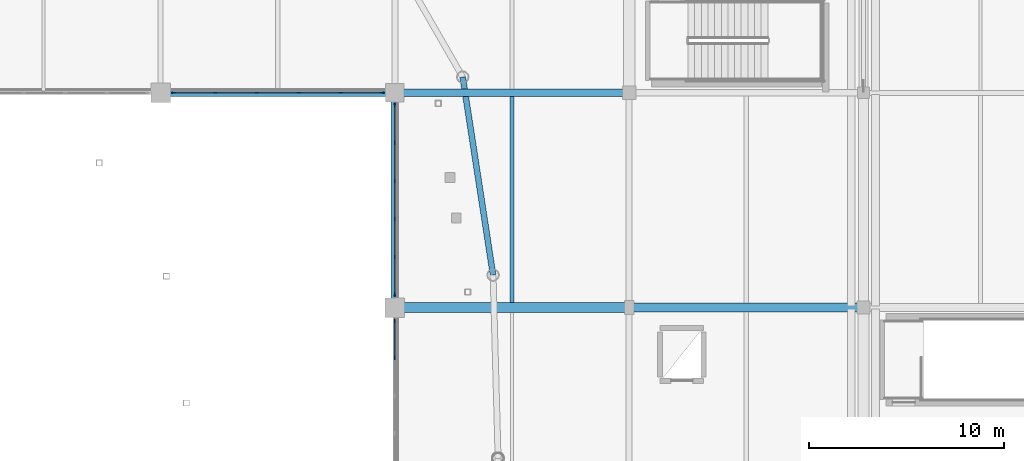
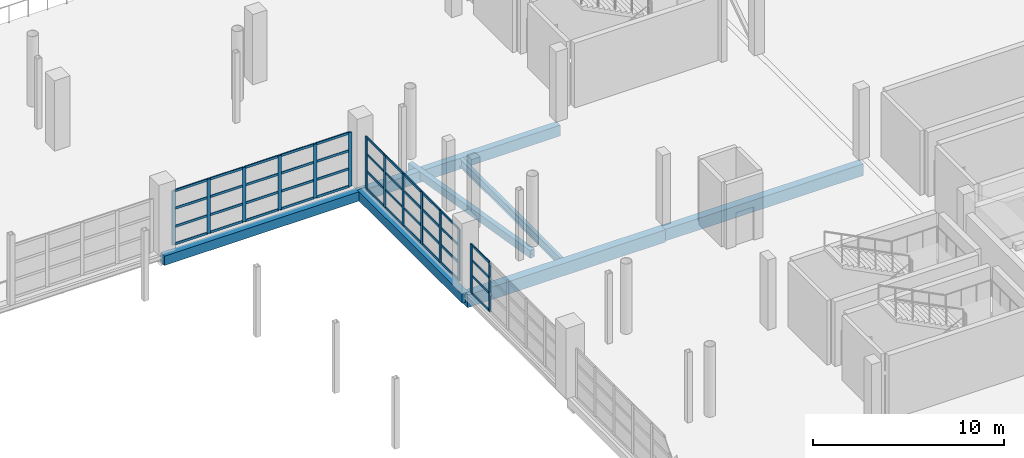
# One storey, part 59 of 118: 58 members, 7 beams, 3 elements without a shape of their own.
"""IFC4 building model written with IfcOpenShell, lengths in metres."""

from ifc_helpers import new_model, si_unit, direction, frame, origin, origin_2d, place, context, subcontext, project, spatial, rectangle, hollow_rectangle, i_section, extrude, material, material_profile, profile_set, type_object, element, aggregate, save


model = new_model("IFC4")

# Units and contexts
model_context = context("Model", 3, precision=1e-05, world=origin(), true_north=direction((0.0, 1.0)))
body_context = subcontext(model_context, "Body", "Model", "MODEL_VIEW")
ifc_project = project(units=[si_unit("LENGTHUNIT", "METRE"), si_unit("AREAUNIT", "SQUARE_METRE"), si_unit("VOLUMEUNIT", "CUBIC_METRE"), si_unit("PLANEANGLEUNIT", "RADIAN"), si_unit("MASSUNIT", "GRAM", prefix="KILO")], contexts=[model_context])

# Site, building, storey
site_placement = place(None, origin())
site = spatial("IfcSite", under=ifc_project, at=site_placement, CompositionType="ELEMENT")
building_placement = place(site_placement, origin())
building = spatial("IfcBuilding", under=site, at=building_placement, Name="Luwafu Chhajja Arena", CompositionType="ELEMENT")
storey_placement = place(building_placement, frame((0.0, 0.0, 10.199951171875)))
storey = spatial("IfcBuildingStorey", under=building, at=storey_placement, Name="L02", CompositionType="ELEMENT", Elevation=10.199951171875)

# Curtain wall, members
ifc_material_1 = material(Name="Anodised bronze aluminium", Category="aluminium")
curtain_wall_type = type_object("IfcCurtainWallType", Name="Hospitality Ring Curtain Wall", PredefinedType="USERDEFINED", material=ifc_material_1)
curtain_wall_1_placement = place(storey_placement, origin())
curtain_wall_1 = element("IfcCurtainWall", 1, at=curtain_wall_1_placement, inside=storey, type_object=curtain_wall_type, Name="L02 Bowl Viewing Curtain Wall CWR-L02-14", ObjectType="CURTAIN WALL", PredefinedType="USERDEFINED")
ifc_material_profile_1 = material_profile(ifc_material_1, rectangle(XDim=0.06494140625, YDim=0.199951171875, at=origin_2d()), Name="CWM 65x200")
ifc_profile_set_1 = profile_set([ifc_material_profile_1], Name="Anodised bronze aluminium")
member_type_1 = type_object("IfcMemberType", Name="Bronze Curtain Wall Mullion 65x200", PredefinedType="MULLION", material=ifc_profile_set_1)
member_1_placement = place(storey_placement, frame((128.672607421875, 77.0, 0.0), z_axis=(0.0, 0.0, 1.0), x_axis=(0.0, 1.0, 0.0)))
member_1 = element("IfcMember", 2, at=member_1_placement, type_object=member_type_1, Name="CW-02 mullion 1", PredefinedType="MULLION", context=body_context, shape_type="SweptSolid", body=[
    extrude(rectangle(XDim=0.06494140625, YDim=0.199951171875, at=origin_2d()), origin(), (0.0, 0.0, 1.0), 3.469970703125),
])
member_2_placement = place(storey_placement, frame((130.7890625, 77.0, 0.0), z_axis=(0.0, 0.0, 1.0), x_axis=(0.0, 1.0, 0.0)))
member_2 = element("IfcMember", 3, at=member_2_placement, type_object=member_type_1, Name="CW-02 mullion 2", PredefinedType="MULLION", context=body_context, shape_type="SweptSolid", body=[
    extrude(rectangle(XDim=0.06494140625, YDim=0.199951171875, at=origin_2d()), origin(), (0.0, 0.0, 1.0), 3.469970703125),
])
member_3_placement = place(storey_placement, frame((132.93798828125, 77.0, 0.0), z_axis=(0.0, 0.0, 1.0), x_axis=(0.0, 1.0, 0.0)))
member_3 = element("IfcMember", 4, at=member_3_placement, type_object=member_type_1, Name="CW-02 mullion 3", PredefinedType="MULLION", context=body_context, shape_type="SweptSolid", body=[
    extrude(rectangle(XDim=0.06494140625, YDim=0.199951171875, at=origin_2d()), origin(), (0.0, 0.0, 1.0), 3.469970703125),
])
member_4_placement = place(storey_placement, frame((135.0869140625, 77.0, 0.0), z_axis=(0.0, 0.0, 1.0), x_axis=(0.0, 1.0, 0.0)))
member_4 = element("IfcMember", 5, at=member_4_placement, type_object=member_type_1, Name="CW-02 mullion 4", PredefinedType="MULLION", context=body_context, shape_type="SweptSolid", body=[
    extrude(rectangle(XDim=0.06494140625, YDim=0.199951171875, at=origin_2d()), origin(), (0.0, 0.0, 1.0), 3.469970703125),
])
member_5_placement = place(storey_placement, frame((137.236083984375, 77.0, 0.0), z_axis=(0.0, 0.0, 1.0), x_axis=(0.0, 1.0, 0.0)))
member_5 = element("IfcMember", 6, at=member_5_placement, type_object=member_type_1, Name="CW-02 mullion 5", PredefinedType="MULLION", context=body_context, shape_type="SweptSolid", body=[
    extrude(rectangle(XDim=0.06494140625, YDim=0.199951171875, at=origin_2d()), origin(), (0.0, 0.0, 1.0), 3.469970703125),
])
member_6_placement = place(storey_placement, frame((139.3525390625, 77.0, 0.0), z_axis=(0.0, 0.0, 1.0), x_axis=(0.0, 1.0, 0.0)))
member_6 = element("IfcMember", 7, at=member_6_placement, type_object=member_type_1, Name="CW-02 mullion 6", PredefinedType="MULLION", context=body_context, shape_type="SweptSolid", body=[
    extrude(rectangle(XDim=0.06494140625, YDim=0.199951171875, at=origin_2d()), origin(), (0.0, 0.0, 1.0), 3.469970703125),
])

curtain_wall_2_placement = place(storey_placement, origin())
curtain_wall_2 = element("IfcCurtainWall", 8, at=curtain_wall_2_placement, inside=storey, type_object=curtain_wall_type, Name="L02 Bowl Viewing Curtain Wall CWR-L02-23", ObjectType="CURTAIN WALL", PredefinedType="USERDEFINED")
member_7_placement = place(storey_placement, frame((140.0, 63.426025390625, 0.0), z_axis=(0.0, 0.0, 1.0), x_axis=(-1.0, 0.0, 0.0)))
member_7 = element("IfcMember", 9, at=member_7_placement, type_object=member_type_1, Name="CW-02 mullion 5", PredefinedType="MULLION", context=body_context, shape_type="SweptSolid", body=[
    extrude(rectangle(XDim=0.06494140625, YDim=0.199951171875, at=origin_2d()), origin(), (0.0, 0.0, 1.0), 3.14013671875),
])
member_8_placement = place(storey_placement, frame((140.0, 65.327392578125, 0.0), z_axis=(0.0, 0.0, 1.0), x_axis=(-1.0, 0.0, 0.0)))
member_8 = element("IfcMember", 10, at=member_8_placement, type_object=member_type_1, Name="CW-02 mullion 6", PredefinedType="MULLION", context=body_context, shape_type="SweptSolid", body=[
    extrude(rectangle(XDim=0.06494140625, YDim=0.199951171875, at=origin_2d()), origin(), (0.0, 0.0, 1.0), 3.14013671875),
])

curtain_wall_3_placement = place(storey_placement, origin())
curtain_wall_3 = element("IfcCurtainWall", 11, at=curtain_wall_3_placement, inside=storey, type_object=curtain_wall_type, Name="L02 Bowl Viewing Curtain Wall CWR-L02-24", ObjectType="CURTAIN WALL", PredefinedType="USERDEFINED")
member_9_placement = place(storey_placement, frame((140.0, 66.672607421875, 0.0), z_axis=(0.0, 0.0, 1.0), x_axis=(-1.0, 0.0, 0.0)))
member_9 = element("IfcMember", 12, at=member_9_placement, type_object=member_type_1, Name="CW-02 mullion 1", PredefinedType="MULLION", context=body_context, shape_type="SweptSolid", body=[
    extrude(rectangle(XDim=0.06494140625, YDim=0.199951171875, at=origin_2d()), origin(), (0.0, 0.0, 1.0), 3.340087890625),
])
member_10_placement = place(storey_placement, frame((140.0, 68.589111328125, 0.0), z_axis=(0.0, 0.0, 1.0), x_axis=(-1.0, 0.0, 0.0)))
member_10 = element("IfcMember", 13, at=member_10_placement, type_object=member_type_1, Name="CW-02 mullion 2", PredefinedType="MULLION", context=body_context, shape_type="SweptSolid", body=[
    extrude(rectangle(XDim=0.06494140625, YDim=0.199951171875, at=origin_2d()), origin(), (0.0, 0.0, 1.0), 3.340087890625),
])
member_11_placement = place(storey_placement, frame((140.0, 70.5380859375, 0.0), z_axis=(0.0, 0.0, 1.0), x_axis=(-1.0, 0.0, 0.0)))
member_11 = element("IfcMember", 14, at=member_11_placement, type_object=member_type_1, Name="CW-02 mullion 3", PredefinedType="MULLION", context=body_context, shape_type="SweptSolid", body=[
    extrude(rectangle(XDim=0.06494140625, YDim=0.199951171875, at=origin_2d()), origin(), (0.0, 0.0, 1.0), 3.340087890625),
])
member_12_placement = place(storey_placement, frame((140.0, 72.487060546875, 0.0), z_axis=(0.0, 0.0, 1.0), x_axis=(-1.0, 0.0, 0.0)))
member_12 = element("IfcMember", 15, at=member_12_placement, type_object=member_type_1, Name="CW-02 mullion 4", PredefinedType="MULLION", context=body_context, shape_type="SweptSolid", body=[
    extrude(rectangle(XDim=0.06494140625, YDim=0.199951171875, at=origin_2d()), origin(), (0.0, 0.0, 1.0), 3.340087890625),
])
member_13_placement = place(storey_placement, frame((140.0, 74.43603515625, 0.0), z_axis=(0.0, 0.0, 1.0), x_axis=(-1.0, 0.0, 0.0)))
member_13 = element("IfcMember", 16, at=member_13_placement, type_object=member_type_1, Name="CW-02 mullion 5", PredefinedType="MULLION", context=body_context, shape_type="SweptSolid", body=[
    extrude(rectangle(XDim=0.06494140625, YDim=0.199951171875, at=origin_2d()), origin(), (0.0, 0.0, 1.0), 3.340087890625),
])
member_14_placement = place(storey_placement, frame((140.0, 76.3525390625, 0.0), z_axis=(0.0, 0.0, 1.0), x_axis=(-1.0, 0.0, 0.0)))
member_14 = element("IfcMember", 17, at=member_14_placement, type_object=member_type_1, Name="CW-02 mullion 6", PredefinedType="MULLION", context=body_context, shape_type="SweptSolid", body=[
    extrude(rectangle(XDim=0.06494140625, YDim=0.199951171875, at=origin_2d()), origin(), (0.0, 0.0, 1.0), 3.340087890625),
])

# Member
ifc_material_profile_2 = material_profile(ifc_material_1, rectangle(XDim=0.06494140625, YDim=0.14990234375, at=origin_2d()), Name="CWT 65x150")
ifc_profile_set_2 = profile_set([ifc_material_profile_2], Name="Anodised bronze aluminium")
member_type_2 = type_object("IfcMemberType", Name="Bronze Curtain Wall Transom 65x150", PredefinedType="USERDEFINED", material=ifc_profile_set_2)
member_15_placement = place(storey_placement, frame((128.705078125, 77.0, 0.032470703125), z_axis=(1.0, 0.0, 0.0), x_axis=(0.0, 1.0, 0.0)))
member_15 = element("IfcMember", 18, at=member_15_placement, type_object=member_type_2, Name="CW-02 transom 1.1", ObjectType="TRANSOM", PredefinedType="USERDEFINED", context=body_context, shape_type="SweptSolid", body=[
    extrude(rectangle(XDim=0.06494140625, YDim=0.14990234375, at=origin_2d()), origin(), (0.0, 0.0, 1.0), 2.051513671875),
])

member_16_placement = place(storey_placement, frame((128.705078125, 77.0, 1.150146484375), z_axis=(1.0, 0.0, 0.0), x_axis=(0.0, 1.0, 0.0)))
member_16 = element("IfcMember", 19, at=member_16_placement, type_object=member_type_2, Name="CW-02 transom 1.2", ObjectType="TRANSOM", PredefinedType="USERDEFINED", context=body_context, shape_type="SweptSolid", body=[
    extrude(rectangle(XDim=0.06494140625, YDim=0.14990234375, at=origin_2d()), origin(), (0.0, 0.0, 1.0), 2.051513671875),
])

member_17_placement = place(storey_placement, frame((128.705078125, 77.0, 2.31005859375), z_axis=(1.0, 0.0, 0.0), x_axis=(0.0, 1.0, 0.0)))
member_17 = element("IfcMember", 20, at=member_17_placement, type_object=member_type_2, Name="CW-02 transom 1.3", ObjectType="TRANSOM", PredefinedType="USERDEFINED", context=body_context, shape_type="SweptSolid", body=[
    extrude(rectangle(XDim=0.06494140625, YDim=0.14990234375, at=origin_2d()), origin(), (0.0, 0.0, 1.0), 2.051513671875),
])

member_18_placement = place(storey_placement, frame((128.705078125, 77.0, 3.437255859375), z_axis=(1.0, 0.0, 0.0), x_axis=(0.0, 1.0, 0.0)))
member_18 = element("IfcMember", 21, at=member_18_placement, type_object=member_type_2, Name="CW-02 transom 1.4", ObjectType="TRANSOM", PredefinedType="USERDEFINED", context=body_context, shape_type="SweptSolid", body=[
    extrude(rectangle(XDim=0.06494140625, YDim=0.14990234375, at=origin_2d()), origin(), (0.0, 0.0, 1.0), 2.051513671875),
])

member_19_placement = place(storey_placement, frame((130.821533203125, 77.0, 0.032470703125), z_axis=(1.0, 0.0, 0.0), x_axis=(0.0, 1.0, 0.0)))
member_19 = element("IfcMember", 22, at=member_19_placement, type_object=member_type_2, Name="CW-02 transom 2.1", ObjectType="TRANSOM", PredefinedType="USERDEFINED", context=body_context, shape_type="SweptSolid", body=[
    extrude(rectangle(XDim=0.06494140625, YDim=0.14990234375, at=origin_2d()), origin(), (0.0, 0.0, 1.0), 2.083984375),
])

member_20_placement = place(storey_placement, frame((130.821533203125, 77.0, 1.150146484375), z_axis=(1.0, 0.0, 0.0), x_axis=(0.0, 1.0, 0.0)))
member_20 = element("IfcMember", 23, at=member_20_placement, type_object=member_type_2, Name="CW-02 transom 2.2", ObjectType="TRANSOM", PredefinedType="USERDEFINED", context=body_context, shape_type="SweptSolid", body=[
    extrude(rectangle(XDim=0.06494140625, YDim=0.14990234375, at=origin_2d()), origin(), (0.0, 0.0, 1.0), 2.083984375),
])

member_21_placement = place(storey_placement, frame((130.821533203125, 77.0, 2.31005859375), z_axis=(1.0, 0.0, 0.0), x_axis=(0.0, 1.0, 0.0)))
member_21 = element("IfcMember", 24, at=member_21_placement, type_object=member_type_2, Name="CW-02 transom 2.3", ObjectType="TRANSOM", PredefinedType="USERDEFINED", context=body_context, shape_type="SweptSolid", body=[
    extrude(rectangle(XDim=0.06494140625, YDim=0.14990234375, at=origin_2d()), origin(), (0.0, 0.0, 1.0), 2.083984375),
])

member_22_placement = place(storey_placement, frame((130.821533203125, 77.0, 3.437255859375), z_axis=(1.0, 0.0, 0.0), x_axis=(0.0, 1.0, 0.0)))
member_22 = element("IfcMember", 25, at=member_22_placement, type_object=member_type_2, Name="CW-02 transom 2.4", ObjectType="TRANSOM", PredefinedType="USERDEFINED", context=body_context, shape_type="SweptSolid", body=[
    extrude(rectangle(XDim=0.06494140625, YDim=0.14990234375, at=origin_2d()), origin(), (0.0, 0.0, 1.0), 2.083984375),
])

member_23_placement = place(storey_placement, frame((132.970458984375, 77.0, 0.032470703125), z_axis=(1.0, 0.0, 0.0), x_axis=(0.0, 1.0, 0.0)))
member_23 = element("IfcMember", 26, at=member_23_placement, type_object=member_type_2, Name="CW-02 transom 3.1", ObjectType="TRANSOM", PredefinedType="USERDEFINED", context=body_context, shape_type="SweptSolid", body=[
    extrude(rectangle(XDim=0.06494140625, YDim=0.14990234375, at=origin_2d()), origin(), (0.0, 0.0, 1.0), 2.083984375),
])

member_24_placement = place(storey_placement, frame((132.970458984375, 77.0, 1.150146484375), z_axis=(1.0, 0.0, 0.0), x_axis=(0.0, 1.0, 0.0)))
member_24 = element("IfcMember", 27, at=member_24_placement, type_object=member_type_2, Name="CW-02 transom 3.2", ObjectType="TRANSOM", PredefinedType="USERDEFINED", context=body_context, shape_type="SweptSolid", body=[
    extrude(rectangle(XDim=0.06494140625, YDim=0.14990234375, at=origin_2d()), origin(), (0.0, 0.0, 1.0), 2.083984375),
])

member_25_placement = place(storey_placement, frame((132.970458984375, 77.0, 2.31005859375), z_axis=(1.0, 0.0, 0.0), x_axis=(0.0, 1.0, 0.0)))
member_25 = element("IfcMember", 28, at=member_25_placement, type_object=member_type_2, Name="CW-02 transom 3.3", ObjectType="TRANSOM", PredefinedType="USERDEFINED", context=body_context, shape_type="SweptSolid", body=[
    extrude(rectangle(XDim=0.06494140625, YDim=0.14990234375, at=origin_2d()), origin(), (0.0, 0.0, 1.0), 2.083984375),
])

member_26_placement = place(storey_placement, frame((132.970458984375, 77.0, 3.437255859375), z_axis=(1.0, 0.0, 0.0), x_axis=(0.0, 1.0, 0.0)))
member_26 = element("IfcMember", 29, at=member_26_placement, type_object=member_type_2, Name="CW-02 transom 3.4", ObjectType="TRANSOM", PredefinedType="USERDEFINED", context=body_context, shape_type="SweptSolid", body=[
    extrude(rectangle(XDim=0.06494140625, YDim=0.14990234375, at=origin_2d()), origin(), (0.0, 0.0, 1.0), 2.083984375),
])

member_27_placement = place(storey_placement, frame((135.119384765625, 77.0, 0.032470703125), z_axis=(1.0, 0.0, 0.0), x_axis=(0.0, 1.0, 0.0)))
member_27 = element("IfcMember", 30, at=member_27_placement, type_object=member_type_2, Name="CW-02 transom 4.1", ObjectType="TRANSOM", PredefinedType="USERDEFINED", context=body_context, shape_type="SweptSolid", body=[
    extrude(rectangle(XDim=0.06494140625, YDim=0.14990234375, at=origin_2d()), origin(), (0.0, 0.0, 1.0), 2.084228515625),
])

member_28_placement = place(storey_placement, frame((135.119384765625, 77.0, 1.150146484375), z_axis=(1.0, 0.0, 0.0), x_axis=(0.0, 1.0, 0.0)))
member_28 = element("IfcMember", 31, at=member_28_placement, type_object=member_type_2, Name="CW-02 transom 4.2", ObjectType="TRANSOM", PredefinedType="USERDEFINED", context=body_context, shape_type="SweptSolid", body=[
    extrude(rectangle(XDim=0.06494140625, YDim=0.14990234375, at=origin_2d()), origin(), (0.0, 0.0, 1.0), 2.084228515625),
])

member_29_placement = place(storey_placement, frame((135.119384765625, 77.0, 2.31005859375), z_axis=(1.0, 0.0, 0.0), x_axis=(0.0, 1.0, 0.0)))
member_29 = element("IfcMember", 32, at=member_29_placement, type_object=member_type_2, Name="CW-02 transom 4.3", ObjectType="TRANSOM", PredefinedType="USERDEFINED", context=body_context, shape_type="SweptSolid", body=[
    extrude(rectangle(XDim=0.06494140625, YDim=0.14990234375, at=origin_2d()), origin(), (0.0, 0.0, 1.0), 2.084228515625),
])

member_30_placement = place(storey_placement, frame((135.119384765625, 77.0, 3.437255859375), z_axis=(1.0, 0.0, 0.0), x_axis=(0.0, 1.0, 0.0)))
member_30 = element("IfcMember", 33, at=member_30_placement, type_object=member_type_2, Name="CW-02 transom 4.4", ObjectType="TRANSOM", PredefinedType="USERDEFINED", context=body_context, shape_type="SweptSolid", body=[
    extrude(rectangle(XDim=0.06494140625, YDim=0.14990234375, at=origin_2d()), origin(), (0.0, 0.0, 1.0), 2.084228515625),
])

member_31_placement = place(storey_placement, frame((137.2685546875, 77.0, 0.032470703125), z_axis=(1.0, 0.0, 0.0), x_axis=(0.0, 1.0, 0.0)))
member_31 = element("IfcMember", 34, at=member_31_placement, type_object=member_type_2, Name="CW-02 transom 5.1", ObjectType="TRANSOM", PredefinedType="USERDEFINED", context=body_context, shape_type="SweptSolid", body=[
    extrude(rectangle(XDim=0.06494140625, YDim=0.14990234375, at=origin_2d()), origin(), (0.0, 0.0, 1.0), 2.051513671875),
])

member_32_placement = place(storey_placement, frame((137.2685546875, 77.0, 1.150146484375), z_axis=(1.0, 0.0, 0.0), x_axis=(0.0, 1.0, 0.0)))
member_32 = element("IfcMember", 35, at=member_32_placement, type_object=member_type_2, Name="CW-02 transom 5.2", ObjectType="TRANSOM", PredefinedType="USERDEFINED", context=body_context, shape_type="SweptSolid", body=[
    extrude(rectangle(XDim=0.06494140625, YDim=0.14990234375, at=origin_2d()), origin(), (0.0, 0.0, 1.0), 2.051513671875),
])

member_33_placement = place(storey_placement, frame((137.2685546875, 77.0, 2.31005859375), z_axis=(1.0, 0.0, 0.0), x_axis=(0.0, 1.0, 0.0)))
member_33 = element("IfcMember", 36, at=member_33_placement, type_object=member_type_2, Name="CW-02 transom 5.3", ObjectType="TRANSOM", PredefinedType="USERDEFINED", context=body_context, shape_type="SweptSolid", body=[
    extrude(rectangle(XDim=0.06494140625, YDim=0.14990234375, at=origin_2d()), origin(), (0.0, 0.0, 1.0), 2.051513671875),
])

member_34_placement = place(storey_placement, frame((137.2685546875, 77.0, 3.437255859375), z_axis=(1.0, 0.0, 0.0), x_axis=(0.0, 1.0, 0.0)))
member_34 = element("IfcMember", 37, at=member_34_placement, type_object=member_type_2, Name="CW-02 transom 5.4", ObjectType="TRANSOM", PredefinedType="USERDEFINED", context=body_context, shape_type="SweptSolid", body=[
    extrude(rectangle(XDim=0.06494140625, YDim=0.14990234375, at=origin_2d()), origin(), (0.0, 0.0, 1.0), 2.051513671875),
])

aggregate(curtain_wall_1, [member_1, member_2, member_3, member_4, member_5, member_6, member_15, member_16, member_17, member_18, member_19, member_20, member_21, member_22, member_23, member_24, member_25, member_26, member_27, member_28, member_29, member_30, member_31, member_32, member_33, member_34])

member_35_placement = place(storey_placement, frame((140.0, 63.45849609375, 0.032470703125), z_axis=(0.0, 1.0, 0.0), x_axis=(-1.0, 0.0, 0.0)))
member_35 = element("IfcMember", 38, at=member_35_placement, type_object=member_type_2, Name="CW-02 transom 5.1", ObjectType="TRANSOM", PredefinedType="USERDEFINED", context=body_context, shape_type="SweptSolid", body=[
    extrude(rectangle(XDim=0.06494140625, YDim=0.14990234375, at=origin_2d()), origin(), (0.0, 0.0, 1.0), 1.83642578125),
])

member_36_placement = place(storey_placement, frame((140.0, 63.45849609375, 1.150146484375), z_axis=(0.0, 1.0, 0.0), x_axis=(-1.0, 0.0, 0.0)))
member_36 = element("IfcMember", 39, at=member_36_placement, type_object=member_type_2, Name="CW-02 transom 5.2", ObjectType="TRANSOM", PredefinedType="USERDEFINED", context=body_context, shape_type="SweptSolid", body=[
    extrude(rectangle(XDim=0.06494140625, YDim=0.14990234375, at=origin_2d()), origin(), (0.0, 0.0, 1.0), 1.83642578125),
])

member_37_placement = place(storey_placement, frame((140.0, 63.45849609375, 2.14501953125), z_axis=(0.0, 1.0, 0.0), x_axis=(-1.0, 0.0, 0.0)))
member_37 = element("IfcMember", 40, at=member_37_placement, type_object=member_type_2, Name="CW-02 transom 5.3", ObjectType="TRANSOM", PredefinedType="USERDEFINED", context=body_context, shape_type="SweptSolid", body=[
    extrude(rectangle(XDim=0.06494140625, YDim=0.14990234375, at=origin_2d()), origin(), (0.0, 0.0, 1.0), 1.83642578125),
])

member_38_placement = place(storey_placement, frame((140.0, 63.45849609375, 3.107666015625), z_axis=(0.0, 1.0, 0.0), x_axis=(-1.0, 0.0, 0.0)))
member_38 = element("IfcMember", 41, at=member_38_placement, type_object=member_type_2, Name="CW-02 transom 5.4", ObjectType="TRANSOM", PredefinedType="USERDEFINED", context=body_context, shape_type="SweptSolid", body=[
    extrude(rectangle(XDim=0.06494140625, YDim=0.14990234375, at=origin_2d()), origin(), (0.0, 0.0, 1.0), 1.83642578125),
])

aggregate(curtain_wall_2, [member_7, member_8, member_35, member_36, member_37, member_38])

member_39_placement = place(storey_placement, frame((140.0, 66.705078125, 0.032470703125), z_axis=(0.0, 1.0, 0.0), x_axis=(-1.0, 0.0, 0.0)))
member_39 = element("IfcMember", 42, at=member_39_placement, type_object=member_type_2, Name="CW-02 transom 1.1", ObjectType="TRANSOM", PredefinedType="USERDEFINED", context=body_context, shape_type="SweptSolid", body=[
    extrude(rectangle(XDim=0.06494140625, YDim=0.14990234375, at=origin_2d()), origin(), (0.0, 0.0, 1.0), 1.851318359375),
])

member_40_placement = place(storey_placement, frame((140.0, 66.705078125, 1.150146484375), z_axis=(0.0, 1.0, 0.0), x_axis=(-1.0, 0.0, 0.0)))
member_40 = element("IfcMember", 43, at=member_40_placement, type_object=member_type_2, Name="CW-02 transom 1.2", ObjectType="TRANSOM", PredefinedType="USERDEFINED", context=body_context, shape_type="SweptSolid", body=[
    extrude(rectangle(XDim=0.06494140625, YDim=0.14990234375, at=origin_2d()), origin(), (0.0, 0.0, 1.0), 1.851318359375),
])

member_41_placement = place(storey_placement, frame((140.0, 66.705078125, 2.2451171875), z_axis=(0.0, 1.0, 0.0), x_axis=(-1.0, 0.0, 0.0)))
member_41 = element("IfcMember", 44, at=member_41_placement, type_object=member_type_2, Name="CW-02 transom 1.3", ObjectType="TRANSOM", PredefinedType="USERDEFINED", context=body_context, shape_type="SweptSolid", body=[
    extrude(rectangle(XDim=0.06494140625, YDim=0.14990234375, at=origin_2d()), origin(), (0.0, 0.0, 1.0), 1.851318359375),
])

member_42_placement = place(storey_placement, frame((140.0, 66.705078125, 3.3076171875), z_axis=(0.0, 1.0, 0.0), x_axis=(-1.0, 0.0, 0.0)))
member_42 = element("IfcMember", 45, at=member_42_placement, type_object=member_type_2, Name="CW-02 transom 1.4", ObjectType="TRANSOM", PredefinedType="USERDEFINED", context=body_context, shape_type="SweptSolid", body=[
    extrude(rectangle(XDim=0.06494140625, YDim=0.14990234375, at=origin_2d()), origin(), (0.0, 0.0, 1.0), 1.851318359375),
])

member_43_placement = place(storey_placement, frame((140.0, 68.62158203125, 0.032470703125), z_axis=(0.0, 1.0, 0.0), x_axis=(-1.0, 0.0, 0.0)))
member_43 = element("IfcMember", 46, at=member_43_placement, type_object=member_type_2, Name="CW-02 transom 2.1", ObjectType="TRANSOM", PredefinedType="USERDEFINED", context=body_context, shape_type="SweptSolid", body=[
    extrude(rectangle(XDim=0.06494140625, YDim=0.14990234375, at=origin_2d()), origin(), (0.0, 0.0, 1.0), 1.884033203125),
])

member_44_placement = place(storey_placement, frame((140.0, 68.62158203125, 1.150146484375), z_axis=(0.0, 1.0, 0.0), x_axis=(-1.0, 0.0, 0.0)))
member_44 = element("IfcMember", 47, at=member_44_placement, type_object=member_type_2, Name="CW-02 transom 2.2", ObjectType="TRANSOM", PredefinedType="USERDEFINED", context=body_context, shape_type="SweptSolid", body=[
    extrude(rectangle(XDim=0.06494140625, YDim=0.14990234375, at=origin_2d()), origin(), (0.0, 0.0, 1.0), 1.884033203125),
])

member_45_placement = place(storey_placement, frame((140.0, 68.62158203125, 2.2451171875), z_axis=(0.0, 1.0, 0.0), x_axis=(-1.0, 0.0, 0.0)))
member_45 = element("IfcMember", 48, at=member_45_placement, type_object=member_type_2, Name="CW-02 transom 2.3", ObjectType="TRANSOM", PredefinedType="USERDEFINED", context=body_context, shape_type="SweptSolid", body=[
    extrude(rectangle(XDim=0.06494140625, YDim=0.14990234375, at=origin_2d()), origin(), (0.0, 0.0, 1.0), 1.884033203125),
])

member_46_placement = place(storey_placement, frame((140.0, 68.62158203125, 3.3076171875), z_axis=(0.0, 1.0, 0.0), x_axis=(-1.0, 0.0, 0.0)))
member_46 = element("IfcMember", 49, at=member_46_placement, type_object=member_type_2, Name="CW-02 transom 2.4", ObjectType="TRANSOM", PredefinedType="USERDEFINED", context=body_context, shape_type="SweptSolid", body=[
    extrude(rectangle(XDim=0.06494140625, YDim=0.14990234375, at=origin_2d()), origin(), (0.0, 0.0, 1.0), 1.884033203125),
])

member_47_placement = place(storey_placement, frame((140.0, 70.570556640625, 0.032470703125), z_axis=(0.0, 1.0, 0.0), x_axis=(-1.0, 0.0, 0.0)))
member_47 = element("IfcMember", 50, at=member_47_placement, type_object=member_type_2, Name="CW-02 transom 3.1", ObjectType="TRANSOM", PredefinedType="USERDEFINED", context=body_context, shape_type="SweptSolid", body=[
    extrude(rectangle(XDim=0.06494140625, YDim=0.14990234375, at=origin_2d()), origin(), (0.0, 0.0, 1.0), 1.884033203125),
])

member_48_placement = place(storey_placement, frame((140.0, 70.570556640625, 1.150146484375), z_axis=(0.0, 1.0, 0.0), x_axis=(-1.0, 0.0, 0.0)))
member_48 = element("IfcMember", 51, at=member_48_placement, type_object=member_type_2, Name="CW-02 transom 3.2", ObjectType="TRANSOM", PredefinedType="USERDEFINED", context=body_context, shape_type="SweptSolid", body=[
    extrude(rectangle(XDim=0.06494140625, YDim=0.14990234375, at=origin_2d()), origin(), (0.0, 0.0, 1.0), 1.884033203125),
])

member_49_placement = place(storey_placement, frame((140.0, 70.570556640625, 2.2451171875), z_axis=(0.0, 1.0, 0.0), x_axis=(-1.0, 0.0, 0.0)))
member_49 = element("IfcMember", 52, at=member_49_placement, type_object=member_type_2, Name="CW-02 transom 3.3", ObjectType="TRANSOM", PredefinedType="USERDEFINED", context=body_context, shape_type="SweptSolid", body=[
    extrude(rectangle(XDim=0.06494140625, YDim=0.14990234375, at=origin_2d()), origin(), (0.0, 0.0, 1.0), 1.884033203125),
])

member_50_placement = place(storey_placement, frame((140.0, 70.570556640625, 3.3076171875), z_axis=(0.0, 1.0, 0.0), x_axis=(-1.0, 0.0, 0.0)))
member_50 = element("IfcMember", 53, at=member_50_placement, type_object=member_type_2, Name="CW-02 transom 3.4", ObjectType="TRANSOM", PredefinedType="USERDEFINED", context=body_context, shape_type="SweptSolid", body=[
    extrude(rectangle(XDim=0.06494140625, YDim=0.14990234375, at=origin_2d()), origin(), (0.0, 0.0, 1.0), 1.884033203125),
])

member_51_placement = place(storey_placement, frame((140.0, 72.51953125, 0.032470703125), z_axis=(0.0, 1.0, 0.0), x_axis=(-1.0, 0.0, 0.0)))
member_51 = element("IfcMember", 54, at=member_51_placement, type_object=member_type_2, Name="CW-02 transom 4.1", ObjectType="TRANSOM", PredefinedType="USERDEFINED", context=body_context, shape_type="SweptSolid", body=[
    extrude(rectangle(XDim=0.06494140625, YDim=0.14990234375, at=origin_2d()), origin(), (0.0, 0.0, 1.0), 1.884033203125),
])

member_52_placement = place(storey_placement, frame((140.0, 72.51953125, 1.150146484375), z_axis=(0.0, 1.0, 0.0), x_axis=(-1.0, 0.0, 0.0)))
member_52 = element("IfcMember", 55, at=member_52_placement, type_object=member_type_2, Name="CW-02 transom 4.2", ObjectType="TRANSOM", PredefinedType="USERDEFINED", context=body_context, shape_type="SweptSolid", body=[
    extrude(rectangle(XDim=0.06494140625, YDim=0.14990234375, at=origin_2d()), origin(), (0.0, 0.0, 1.0), 1.884033203125),
])

member_53_placement = place(storey_placement, frame((140.0, 72.51953125, 2.2451171875), z_axis=(0.0, 1.0, 0.0), x_axis=(-1.0, 0.0, 0.0)))
member_53 = element("IfcMember", 56, at=member_53_placement, type_object=member_type_2, Name="CW-02 transom 4.3", ObjectType="TRANSOM", PredefinedType="USERDEFINED", context=body_context, shape_type="SweptSolid", body=[
    extrude(rectangle(XDim=0.06494140625, YDim=0.14990234375, at=origin_2d()), origin(), (0.0, 0.0, 1.0), 1.884033203125),
])

member_54_placement = place(storey_placement, frame((140.0, 72.51953125, 3.3076171875), z_axis=(0.0, 1.0, 0.0), x_axis=(-1.0, 0.0, 0.0)))
member_54 = element("IfcMember", 57, at=member_54_placement, type_object=member_type_2, Name="CW-02 transom 4.4", ObjectType="TRANSOM", PredefinedType="USERDEFINED", context=body_context, shape_type="SweptSolid", body=[
    extrude(rectangle(XDim=0.06494140625, YDim=0.14990234375, at=origin_2d()), origin(), (0.0, 0.0, 1.0), 1.884033203125),
])

member_55_placement = place(storey_placement, frame((140.0, 74.468505859375, 0.032470703125), z_axis=(0.0, 1.0, 0.0), x_axis=(-1.0, 0.0, 0.0)))
member_55 = element("IfcMember", 58, at=member_55_placement, type_object=member_type_2, Name="CW-02 transom 5.1", ObjectType="TRANSOM", PredefinedType="USERDEFINED", context=body_context, shape_type="SweptSolid", body=[
    extrude(rectangle(XDim=0.06494140625, YDim=0.14990234375, at=origin_2d()), origin(), (0.0, 0.0, 1.0), 1.8515625),
])

member_56_placement = place(storey_placement, frame((140.0, 74.468505859375, 1.150146484375), z_axis=(0.0, 1.0, 0.0), x_axis=(-1.0, 0.0, 0.0)))
member_56 = element("IfcMember", 59, at=member_56_placement, type_object=member_type_2, Name="CW-02 transom 5.2", ObjectType="TRANSOM", PredefinedType="USERDEFINED", context=body_context, shape_type="SweptSolid", body=[
    extrude(rectangle(XDim=0.06494140625, YDim=0.14990234375, at=origin_2d()), origin(), (0.0, 0.0, 1.0), 1.8515625),
])

member_57_placement = place(storey_placement, frame((140.0, 74.468505859375, 2.2451171875), z_axis=(0.0, 1.0, 0.0), x_axis=(-1.0, 0.0, 0.0)))
member_57 = element("IfcMember", 60, at=member_57_placement, type_object=member_type_2, Name="CW-02 transom 5.3", ObjectType="TRANSOM", PredefinedType="USERDEFINED", context=body_context, shape_type="SweptSolid", body=[
    extrude(rectangle(XDim=0.06494140625, YDim=0.14990234375, at=origin_2d()), origin(), (0.0, 0.0, 1.0), 1.8515625),
])

member_58_placement = place(storey_placement, frame((140.0, 74.468505859375, 3.3076171875), z_axis=(0.0, 1.0, 0.0), x_axis=(-1.0, 0.0, 0.0)))
member_58 = element("IfcMember", 61, at=member_58_placement, type_object=member_type_2, Name="CW-02 transom 5.4", ObjectType="TRANSOM", PredefinedType="USERDEFINED", context=body_context, shape_type="SweptSolid", body=[
    extrude(rectangle(XDim=0.06494140625, YDim=0.14990234375, at=origin_2d()), origin(), (0.0, 0.0, 1.0), 1.8515625),
])

aggregate(curtain_wall_3, [member_9, member_10, member_11, member_12, member_13, member_14, member_39, member_40, member_41, member_42, member_43, member_44, member_45, member_46, member_47, member_48, member_49, member_50, member_51, member_52, member_53, member_54, member_55, member_56, member_57, member_58])

# Beams
ifc_material_2 = material(Name="Steel S355", Category="steel")
ifc_material_profile_3 = material_profile(ifc_material_2, i_section(OverallWidth=0.2099609375, OverallDepth=0.53662109375, WebThickness=0.0107421875, FlangeThickness=0.017333984375, at=origin_2d()), Name="UB 533x210x101")
ifc_profile_set_3 = profile_set([ifc_material_profile_3], Name="Steel S355")
beam_type_1 = type_object("IfcBeamType", Name="Floor Joist UB 533x210x101", PredefinedType="JOIST", material=ifc_profile_set_3)
beam_1_placement = place(storey_placement, frame((146.0, 66.25, -0.658203125), z_axis=(0.0, 1.0, 0.0), x_axis=(-1.0, 0.0, 0.0)))
element("IfcBeam", 62, at=beam_1_placement, inside=storey, type_object=beam_type_1, Name="L02 Secondary Joist 13-14/G", PredefinedType="JOIST", context=body_context, shape_type="SweptSolid", body=[
    extrude(i_section(OverallWidth=0.2099609375, OverallDepth=0.53662109375, WebThickness=0.0107421875, FlangeThickness=0.017333984375, at=origin_2d()), origin(), (0.0, 0.0, 1.0), 10.550048828125),
])
ifc_material_3 = material(Name="Concrete C35/45", Category="concrete")
ifc_material_profile_4 = material_profile(ifc_material_3, rectangle(XDim=0.5, YDim=0.800048828125, at=origin_2d()), Name="RC 500x800")
ifc_profile_set_4 = profile_set([ifc_material_profile_4], Name="Concrete C35/45")
beam_type_2 = type_object("IfcBeamType", Name="Hospitality Primary Beam RC 500x800", PredefinedType="BEAM", material=ifc_profile_set_4)
beam_2_placement = place(storey_placement, frame((140.0, 66.0, -0.7900390625), z_axis=(1.0, 0.0, 0.0), x_axis=(0.0, 1.0, 0.0)))
element("IfcBeam", 63, at=beam_2_placement, inside=storey, type_object=beam_type_2, Name="L02 Grid Beam 13-14/G", PredefinedType="BEAM", context=body_context, shape_type="SweptSolid", body=[
    extrude(rectangle(XDim=0.5, YDim=0.800048828125, at=origin_2d()), origin(), (0.0, 0.0, 1.0), 12.0),
])
ifc_material_profile_5 = material_profile(ifc_material_2, hollow_rectangle(XDim=0.300048828125, YDim=0.5, WallThickness=0.02001953125, at=origin_2d()), Name="RHS 500x300x20")
ifc_profile_set_5 = profile_set([ifc_material_profile_5], Name="Steel S355")
beam_type_3 = type_object("IfcBeamType", Name="Pleated Drum Spandrel Beam RHS 500x300", PredefinedType="SPANDREL", material=ifc_profile_set_5)
beam_3_placement = place(storey_placement, frame((145.031982421875, 67.6611328125, -0.639892578125), z_axis=(-0.1515977802, 0.988442265911, 0.0), x_axis=(-0.988442265911, -0.1515977802, 0.0)))
element("IfcBeam", 64, at=beam_3_placement, inside=storey, type_object=beam_type_3, Name="L02 Drum Ring Spandrel D03-D04", PredefinedType="SPANDREL", context=body_context, shape_type="SweptSolid", body=[
    extrude(hollow_rectangle(XDim=0.300048828125, YDim=0.5, WallThickness=0.02001953125, at=origin_2d()), origin(), (0.0, 0.0, 1.0), 10.263427734375),
])
ifc_material_profile_6 = material_profile(ifc_material_3, rectangle(XDim=0.39990234375, YDim=0.60009765625, at=origin_2d()), Name="RC 400x600")
ifc_profile_set_6 = profile_set([ifc_material_profile_6], Name="Concrete C35/45")
beam_type_4 = type_object("IfcBeamType", Name="Podium Perimeter Spandrel RC 400x600", PredefinedType="SPANDREL", material=ifc_profile_set_6)
beam_4_placement = place(storey_placement, frame((128.0, 77.0, -0.68994140625), z_axis=(1.0, 0.0, 0.0), x_axis=(0.0, 1.0, 0.0)))
element("IfcBeam", 65, at=beam_4_placement, inside=storey, type_object=beam_type_4, Name="L02 Grid Beam 12-13/H", PredefinedType="SPANDREL", context=body_context, shape_type="SweptSolid", body=[
    extrude(rectangle(XDim=0.39990234375, YDim=0.60009765625, at=origin_2d()), origin(), (0.0, 0.0, 1.0), 12.0),
])
beam_5_placement = place(storey_placement, frame((140.0, 66.0, -0.68994140625), z_axis=(0.0, 1.0, 0.0), x_axis=(-1.0, 0.0, 0.0)))
element("IfcBeam", 66, at=beam_5_placement, inside=storey, type_object=beam_type_4, Name="L02 Grid Beam 13/G-H", PredefinedType="SPANDREL", context=body_context, shape_type="SweptSolid", body=[
    extrude(rectangle(XDim=0.39990234375, YDim=0.60009765625, at=origin_2d()), origin(), (0.0, 0.0, 1.0), 11.0),
])
ifc_material_profile_7 = material_profile(ifc_material_3, rectangle(XDim=0.39990234375, YDim=0.699951171875, at=origin_2d()), Name="RC 400x700")
ifc_profile_set_7 = profile_set([ifc_material_profile_7], Name="Concrete C35/45")
beam_type_5 = type_object("IfcBeamType", Name="Wing Frame Beam RC 400x700", PredefinedType="BEAM", material=ifc_profile_set_7)
beam_6_placement = place(storey_placement, frame((140.0, 77.0, -0.739990234375), z_axis=(1.0, 0.0, 0.0), x_axis=(0.0, 1.0, 0.0)))
element("IfcBeam", 67, at=beam_6_placement, inside=storey, type_object=beam_type_5, Name="L02 Grid Beam 13-14/H", PredefinedType="BEAM", context=body_context, shape_type="SweptSolid", body=[
    extrude(rectangle(XDim=0.39990234375, YDim=0.699951171875, at=origin_2d()), origin(), (0.0, 0.0, 1.0), 12.0),
])
ifc_material_profile_8 = material_profile(ifc_material_3, rectangle(XDim=0.449951171875, YDim=0.75, at=origin_2d()), Name="RC 450x750")
ifc_profile_set_8 = profile_set([ifc_material_profile_8], Name="Concrete C35/45")
beam_type_6 = type_object("IfcBeamType", Name="Wing Primary Beam RC 450x750", PredefinedType="BEAM", material=ifc_profile_set_8)
beam_7_placement = place(storey_placement, frame((152.0, 66.0, -0.764892578125), z_axis=(1.0, 0.0, 0.0), x_axis=(0.0, 1.0, 0.0)))
element("IfcBeam", 68, at=beam_7_placement, inside=storey, type_object=beam_type_6, Name="L02 Grid Beam 14-15/G", PredefinedType="BEAM", context=body_context, shape_type="SweptSolid", body=[
    extrude(rectangle(XDim=0.449951171875, YDim=0.75, at=origin_2d()), origin(), (0.0, 0.0, 1.0), 12.0),
])

save(model, "model.ifc")
